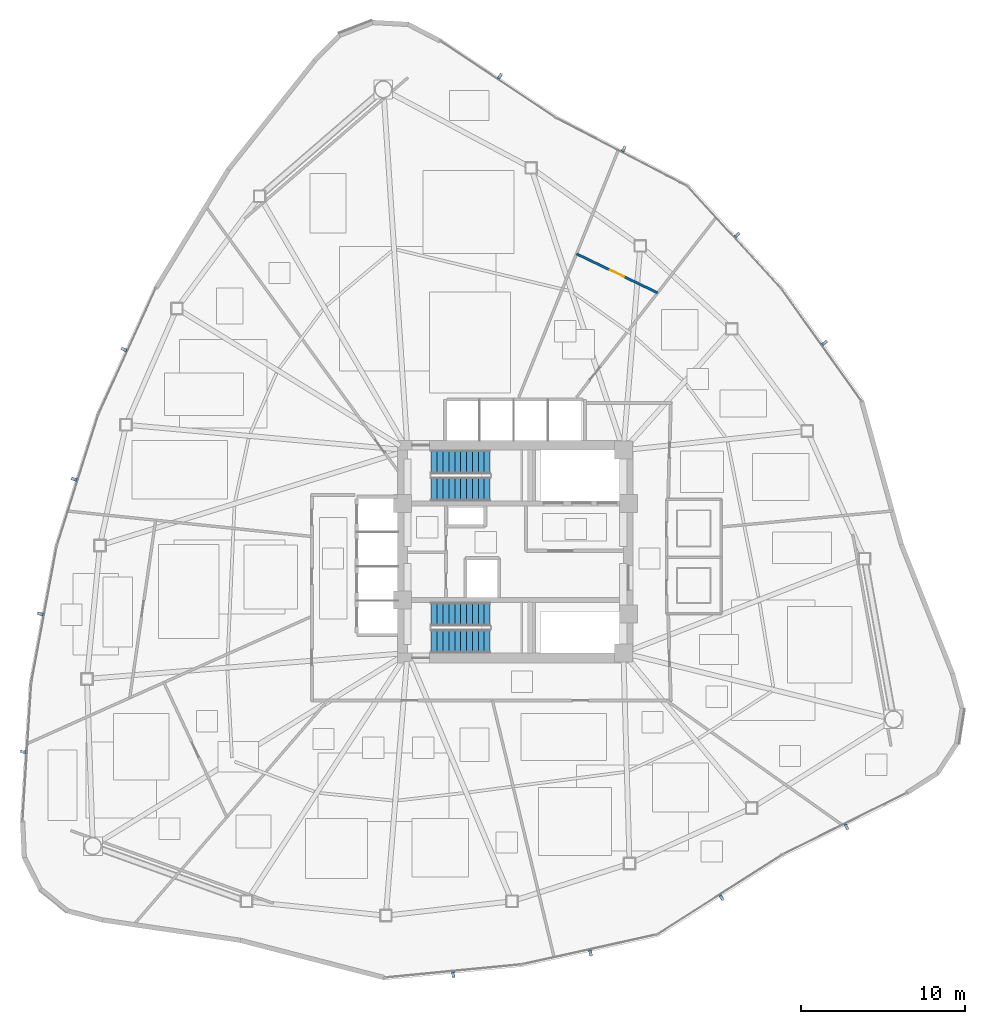
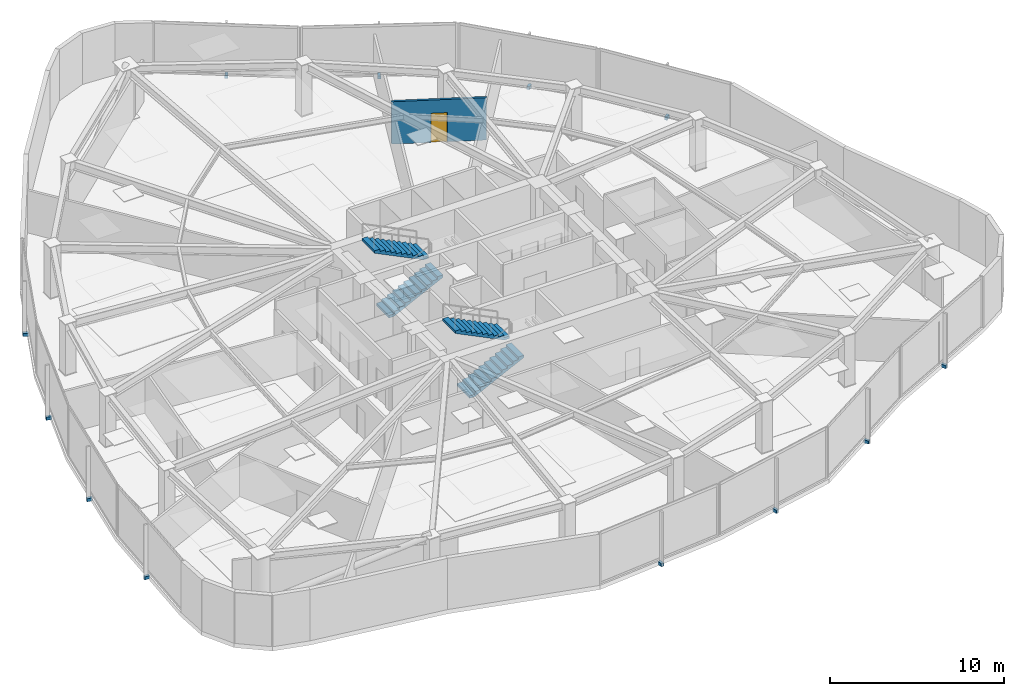
# One storey, part 14 of 18: 12 discrete accessories, 4 stair flights, 1 door, 1 wall, 1 opening, 2 elements without a shape of their own.
"""IFC4 building model written with IfcOpenShell, lengths in metres."""

from ifc_helpers import new_model, si_unit, direction, frame, frame_2d, origin, origin_2d, place, context, subcontext, project, spatial, polyline, rectangle, outline, extrude, source, transform, mapped, material, layer, layer_set, type_object, type_shapes, element, fill, aggregate, save


model = new_model("IFC4")

# Units and contexts
model_context = context("Model", 3, precision=1e-05, world=origin(), true_north=direction((0.0, 1.0)))
body_context = subcontext(model_context, "Body", "Model", "MODEL_VIEW")
ifc_project = project(units=[si_unit("LENGTHUNIT", "METRE"), si_unit("AREAUNIT", "SQUARE_METRE"), si_unit("VOLUMEUNIT", "CUBIC_METRE"), si_unit("PLANEANGLEUNIT", "RADIAN"), si_unit("MASSUNIT", "GRAM", prefix="KILO")], contexts=[model_context])

# Site, building, storey
site_placement = place(None, origin())
site = spatial("IfcSite", under=ifc_project, at=site_placement, CompositionType="ELEMENT")
building_placement = place(site_placement, origin())
building = spatial("IfcBuilding", under=site, at=building_placement, Name="Tavelor Broadcast Tower", CompositionType="ELEMENT")
storey_placement = place(building_placement, frame((0.0, 0.0, 62.699951171875)))
storey = spatial("IfcBuildingStorey", under=building, at=storey_placement, Name="L14", CompositionType="ELEMENT", Elevation=62.699951171875)

# Wall, opening, door
ifc_material_1 = material(Name="Gypsum Acoustic Plasterboard 150 mm", Category="gypsum")
ifc_layer = layer(ifc_material_1, 0.14990234375)
ifc_layer_set = layer_set([ifc_layer], Name="Gypsum Acoustic Plasterboard 150 mm")
wall_type = type_object("IfcWallType", Name="Interior Acoustic Partition Wall 150 mm", PredefinedType="PARTITIONING", material=ifc_layer_set)
wall_placement = place(storey_placement, frame((58.692626953125, 60.826416015625, 0.0), z_axis=(0.0, 0.0, 1.0), x_axis=(-0.901424681966, 0.432935956861, 0.0)))
wall = element("IfcWall", 1, at=wall_placement, inside=storey, type_object=wall_type, Name="L14 Suite Chord Partition Wall 01", PredefinedType="PARTITIONING", context=body_context, shape_type="SweptSolid", body=[
    extrude(rectangle(XDim=5.50048828125, YDim=0.14990234375, at=frame_2d((2.750244140625, 0.0))), origin(), (0.0, 0.0, 1.0), 2.97509765625),
])
opening_placement = place(wall_placement, frame((2.275146484375, 0.0, 0.0)))
opening = element("IfcOpeningElement", 2, at=opening_placement, cuts=wall, Name="Opening DR23", PredefinedType="OPENING", context=body_context, shape_type="SweptSolid", body=[
    extrude(rectangle(XDim=0.949951171875, YDim=2.050048828125, at=frame_2d((0.47509765625, 1.02490234375))), frame((0.0, 0.0849609375, 0.0), z_axis=(0.0, -1.0, 0.0), x_axis=(1.0, 0.0, 0.0)), (0.0, 0.0, 1.0), 0.169921875),
])
ifc_material_2 = material(Name="Timber Solid Core Hardwood", Category="wood")
door_type = type_object("IfcDoorType", Name="Editorial Room Acoustic Door 950x2050", OperationType="NOTDEFINED", PredefinedType="DOOR", material=ifc_material_2)
door_placement = place(opening_placement, origin())
door = element("IfcDoor", 3, at=door_placement, inside=storey, type_object=door_type, Name="L14 Outer Suite Partition Door 1", OperationType="SINGLE_SWING_RIGHT", OverallHeight=2.050048828125, OverallWidth=0.949951171875, PredefinedType="DOOR", context=body_context, shape_type="SweptSolid", body=[
    extrude(rectangle(XDim=0.949951171875, YDim=2.050048828125, at=frame_2d((0.47509765625, 1.02490234375))), frame((0.0, 0.02490234375, 0.0), z_axis=(0.0, -1.0, 0.0), x_axis=(1.0, 0.0, 0.0)), (0.0, 0.0, 1.0), 0.050048828125),
])
fill(opening, door)

# Stair, stair flights
ifc_material_3 = material(Name="Concrete C40/50", Category="concrete")
stair_type = type_object("IfcStairType", Name="Reinforced Concrete Protected Dogleg Stair 1450 mm", PredefinedType="HALF_TURN_STAIR", material=ifc_material_3)
stair_1_placement = place(storey_placement, origin())
stair_1 = element("IfcStair", 4, at=stair_1_placement, inside=storey, type_object=stair_type, Name="L14 Protected Core Exit Stair ST1", PredefinedType="HALF_TURN_STAIR")
stair_flight_type = type_object("IfcStairFlightType", Name="Reinforced Concrete Stair Flight 1450 mm", PredefinedType="STRAIGHT", material=ifc_material_3)
stair_flight_1_placement = place(storey_placement, frame((44.85009765625, 48.824951171875, 0.0), z_axis=(0.0, 0.0, 1.0), x_axis=(1.0, 0.0, 0.0)))
stair_flight_1 = element("IfcStairFlight", 5, at=stair_flight_1_placement, type_object=stair_flight_type, Name="ST1 flight 1", NumberOfRisers=11, NumberOfTreads=10, PredefinedType="STRAIGHT", RiserHeight=0.177272727, TreadLength=0.36, context=body_context, shape_type="SweptSolid", body=[
    extrude(outline(polyline([(0.0, 0.0), (0.0, 0.17724609375), (0.360107421875, 0.17724609375), (0.360107421875, 0.3544921875), (0.719970703125, 0.3544921875), (0.719970703125, 0.53173828125), (1.080078125, 0.53173828125), (1.080078125, 0.708984375), (1.43994140625, 0.708984375), (1.43994140625, 0.886474609375), (1.800048828125, 0.886474609375), (1.800048828125, 1.063720703125), (2.159912109375, 1.063720703125), (2.159912109375, 1.240966796875), (2.52001953125, 1.240966796875), (2.52001953125, 1.418212890625), (2.8798828125, 1.418212890625), (2.8798828125, 1.595458984375), (3.239990234375, 1.595458984375), (3.239990234375, 1.772705078125), (3.60009765625, 1.772705078125), (3.60009765625, 1.949951171875), (3.60009765625, 1.605712890625), (0.33935546875, 0.0), (0.0, 0.0)])), frame((0.0, 0.72509765625, 0.0), z_axis=(0.0, -1.0, 0.0), x_axis=(1.0, 0.0, 0.0)), (0.0, 0.0, 1.0), 1.449951171875),
])
stair_flight_2_placement = place(storey_placement, frame((48.449951171875, 50.47509765625, 1.949951171875), z_axis=(0.0, 0.0, 1.0), x_axis=(-1.0, 0.0, 0.0)))
stair_flight_2 = element("IfcStairFlight", 6, at=stair_flight_2_placement, type_object=stair_flight_type, Name="ST1 flight 2", NumberOfRisers=11, NumberOfTreads=10, PredefinedType="STRAIGHT", RiserHeight=0.177272727, TreadLength=0.36, context=body_context, shape_type="SweptSolid", body=[
    extrude(outline(polyline([(0.0, 0.0), (0.0, 0.17724609375), (0.360107421875, 0.17724609375), (0.360107421875, 0.3544921875), (0.719970703125, 0.3544921875), (0.719970703125, 0.53173828125), (1.080078125, 0.53173828125), (1.080078125, 0.708984375), (1.43994140625, 0.708984375), (1.43994140625, 0.886474609375), (1.800048828125, 0.886474609375), (1.800048828125, 1.063720703125), (2.159912109375, 1.063720703125), (2.159912109375, 1.240966796875), (2.52001953125, 1.240966796875), (2.52001953125, 1.418212890625), (2.8798828125, 1.418212890625), (2.8798828125, 1.595458984375), (3.239990234375, 1.595458984375), (3.239990234375, 1.772705078125), (3.60009765625, 1.772705078125), (3.60009765625, 1.949951171875), (3.60009765625, 1.605712890625), (0.33935546875, 0.0), (0.0, 0.0)])), frame((0.0, 0.72509765625, 0.0), z_axis=(0.0, -1.0, 0.0), x_axis=(1.0, 0.0, 0.0)), (0.0, 0.0, 1.0), 1.449951171875),
])
aggregate(stair_1, [stair_flight_1, stair_flight_2])

stair_2_placement = place(storey_placement, origin())
stair_2 = element("IfcStair", 7, at=stair_2_placement, inside=storey, type_object=stair_type, Name="L14 Protected Core Exit Stair ST2", PredefinedType="HALF_TURN_STAIR")
stair_flight_3_placement = place(storey_placement, frame((44.85009765625, 39.52490234375, 0.0), z_axis=(0.0, 0.0, 1.0), x_axis=(1.0, 0.0, 0.0)))
stair_flight_3 = element("IfcStairFlight", 8, at=stair_flight_3_placement, type_object=stair_flight_type, Name="ST2 flight 1", NumberOfRisers=11, NumberOfTreads=10, PredefinedType="STRAIGHT", RiserHeight=0.177272727, TreadLength=0.36, context=body_context, shape_type="SweptSolid", body=[
    extrude(outline(polyline([(0.0, 0.0), (0.0, 0.17724609375), (0.360107421875, 0.17724609375), (0.360107421875, 0.3544921875), (0.719970703125, 0.3544921875), (0.719970703125, 0.53173828125), (1.080078125, 0.53173828125), (1.080078125, 0.708984375), (1.43994140625, 0.708984375), (1.43994140625, 0.886474609375), (1.800048828125, 0.886474609375), (1.800048828125, 1.063720703125), (2.159912109375, 1.063720703125), (2.159912109375, 1.240966796875), (2.52001953125, 1.240966796875), (2.52001953125, 1.418212890625), (2.8798828125, 1.418212890625), (2.8798828125, 1.595458984375), (3.239990234375, 1.595458984375), (3.239990234375, 1.772705078125), (3.60009765625, 1.772705078125), (3.60009765625, 1.949951171875), (3.60009765625, 1.605712890625), (0.33935546875, 0.0), (0.0, 0.0)])), frame((0.0, 0.72509765625, 0.0), z_axis=(0.0, -1.0, 0.0), x_axis=(1.0, 0.0, 0.0)), (0.0, 0.0, 1.0), 1.449951171875),
])
stair_flight_4_placement = place(storey_placement, frame((48.449951171875, 41.175048828125, 1.949951171875), z_axis=(0.0, 0.0, 1.0), x_axis=(-1.0, 0.0, 0.0)))
stair_flight_4 = element("IfcStairFlight", 9, at=stair_flight_4_placement, type_object=stair_flight_type, Name="ST2 flight 2", NumberOfRisers=11, NumberOfTreads=10, PredefinedType="STRAIGHT", RiserHeight=0.177272727, TreadLength=0.36, context=body_context, shape_type="SweptSolid", body=[
    extrude(outline(polyline([(0.0, 0.0), (0.0, 0.17724609375), (0.360107421875, 0.17724609375), (0.360107421875, 0.3544921875), (0.719970703125, 0.3544921875), (0.719970703125, 0.53173828125), (1.080078125, 0.53173828125), (1.080078125, 0.708984375), (1.43994140625, 0.708984375), (1.43994140625, 0.886474609375), (1.800048828125, 0.886474609375), (1.800048828125, 1.063720703125), (2.159912109375, 1.063720703125), (2.159912109375, 1.240966796875), (2.52001953125, 1.240966796875), (2.52001953125, 1.418212890625), (2.8798828125, 1.418212890625), (2.8798828125, 1.595458984375), (3.239990234375, 1.595458984375), (3.239990234375, 1.772705078125), (3.60009765625, 1.772705078125), (3.60009765625, 1.949951171875), (3.60009765625, 1.605712890625), (0.33935546875, 0.0), (0.0, 0.0)])), frame((0.0, 0.72509765625, 0.0), z_axis=(0.0, -1.0, 0.0), x_axis=(1.0, 0.0, 0.0)), (0.0, 0.0, 1.0), 1.449951171875),
])
aggregate(stair_2, [stair_flight_3, stair_flight_4])

# Discrete accessories
ifc_material_4 = material(Name="Steel S355", Category="steel")
discrete_accessory_type = type_object("IfcDiscreteAccessoryType", Name="Stainless Baguette Outrigger Support Bracket 260x180", PredefinedType="BRACKET", material=ifc_material_4)
shared_shape = source(origin(), body_context, "Body", "SweptSolid", [
    extrude(rectangle(XDim=0.179931640625, YDim=0.340087890625, at=origin_2d()), origin(), (0.0, 0.0, 1.0), 0.216064453125),
])
type_shapes(discrete_accessory_type, [shared_shape])
for number, where, z_axis, x_axis, name in (
    (10, (26.060791015625, 57.3564453125, -0.2578125), (0.0, 0.0, 1.0), (-0.414375580993, -0.910105970685, 0.0), "L14 Baguette Outrigger Bracket 121"),
    (11, (23.01708984375, 49.427001953125, -0.2578125), (0.0, 0.0, 1.0), (-0.301038691196, -0.953611926521, 0.0), "L14 Baguette Outrigger Bracket 122"),
    (12, (20.955078125, 41.1875, -0.2578125), (0.0, 0.0, 1.0), (-0.183436661675, -0.983031531108, 0.0), "L14 Baguette Outrigger Bracket 123"),
    (13, (19.905517578125, 32.7587890625, -0.2578125), (0.0, 0.0, 1.0), (-0.063138892746, -0.998004749599, 0.0), "L14 Baguette Outrigger Bracket 124"),
    (14, (46.197021484375, 19.13330078125, -0.2578125), (0.0, 0.0, 1.0), (0.995362681246, 0.096193205494, 0.0), "L14 Baguette Outrigger Bracket 125"),
    (15, (54.586181640625, 20.462158203125, -0.2578125), (0.0, 0.0, 1.0), (0.976371499317, 0.216098809163, 0.0), "L14 Baguette Outrigger Bracket 126"),
    (16, (62.60498046875, 23.84130859375, -0.2578125), (0.0, 0.0, 1.0), (0.84320384149, 0.537593974759, 0.0), "L14 Baguette Outrigger Bracket 127"),
    (17, (70.248291015625, 28.175537109375, -0.2578125), (0.0, 0.0, 1.0), (0.895866912623, 0.444322489715, 0.0), "L14 Baguette Outrigger Bracket 128"),
    (18, (68.902587890625, 57.757568359375, -0.2578125), (0.0, 0.0, 1.0), (-0.581129145979, 0.813811351416, 0.0), "L14 Baguette Outrigger Bracket 129"),
    (19, (63.557373046875, 64.3583984375, -0.2578125), (0.0, 0.0, 1.0), (-0.675332808121, 0.737513117358, 0.0), "L14 Baguette Outrigger Bracket 130"),
    (20, (56.62158203125, 69.61328125, -0.2578125), (0.0, 0.0, 1.0), (-0.887171959808, 0.461438959919, 0.0), "L14 Baguette Outrigger Bracket 131"),
    (21, (49.046142578125, 74.065673828125, -0.2578125), (0.0, 0.0, 1.0), (-0.832728019878, 0.553682259884, 0.0), "L14 Baguette Outrigger Bracket 132"),
):
    element("IfcDiscreteAccessory", number, at=place(storey_placement, frame(where, z_axis=z_axis, x_axis=x_axis)), inside=storey, type_object=discrete_accessory_type, Name=name, PredefinedType="BRACKET", context=body_context, shape_type="MappedRepresentation", body=[
        mapped(shared_shape, transform((0.0, 0.0, 0.0), scale=1.0)),
    ])

save(model, "model.ifc")
